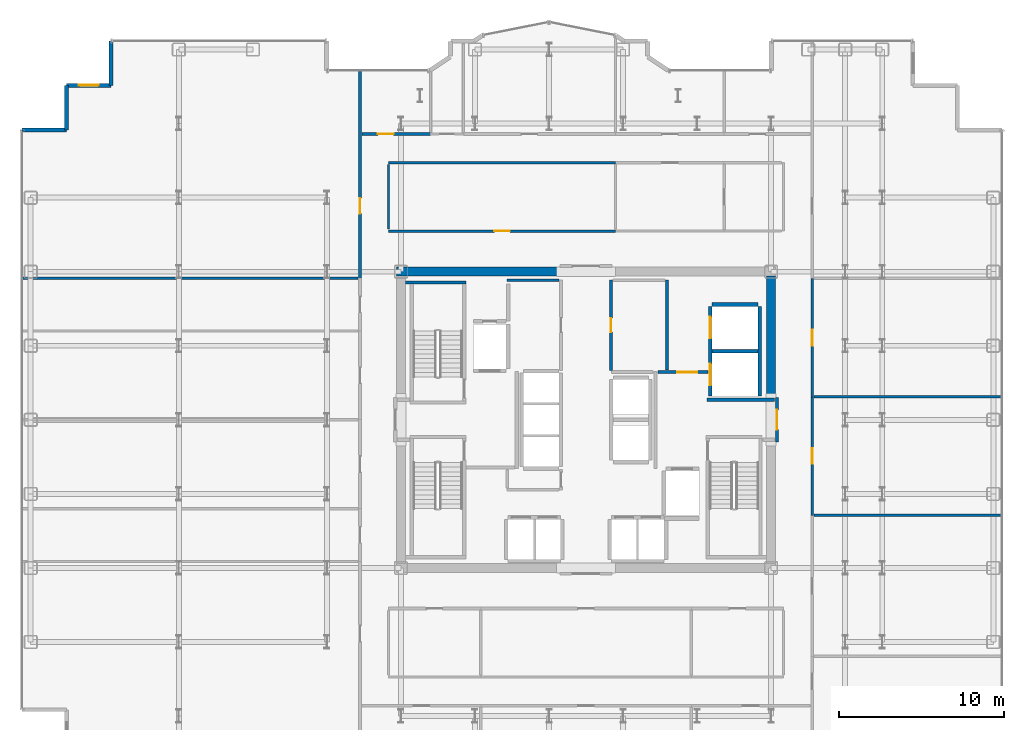
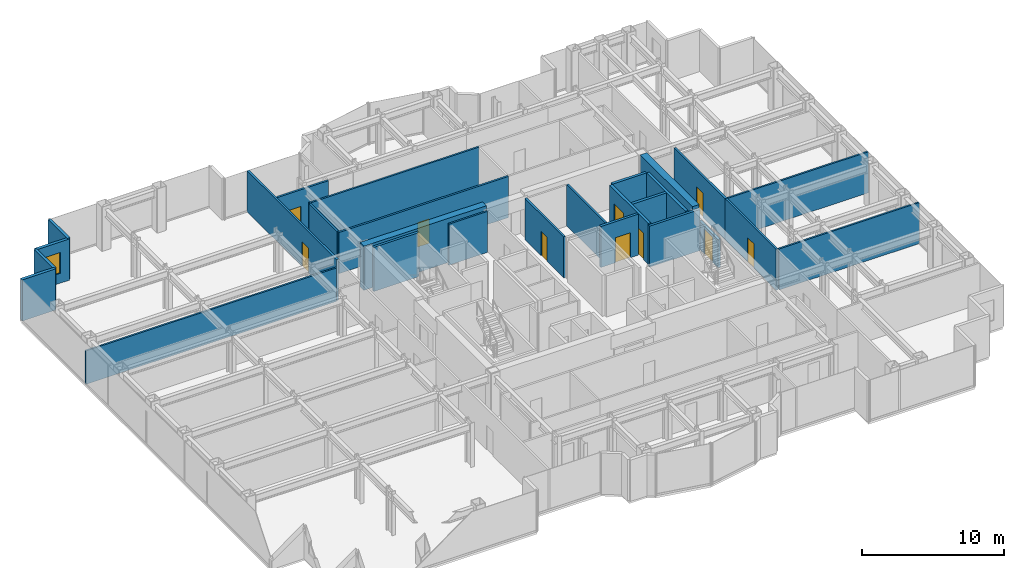
# One storey, part 20 of 23: 27 walls, 10 doors, 1 window, 11 openings.
"""IFC4 building model written with IfcOpenShell, lengths in metres."""

from ifc_helpers import new_model, si_unit, direction, frame, frame_2d, origin, place, context, subcontext, project, spatial, rectangle, extrude, source, transform, mapped, material, layer, layer_set, type_object, element, fill, save


model = new_model("IFC4")

# Units and contexts
model_context = context("Model", 3, precision=1e-05, world=origin(), true_north=direction((0.0, 1.0)))
body_context = subcontext(model_context, "Body", "Model", "MODEL_VIEW")
ifc_project = project(units=[si_unit("LENGTHUNIT", "METRE"), si_unit("AREAUNIT", "SQUARE_METRE"), si_unit("VOLUMEUNIT", "CUBIC_METRE"), si_unit("PLANEANGLEUNIT", "RADIAN"), si_unit("MASSUNIT", "GRAM", prefix="KILO")], contexts=[model_context])

# Site, building, storey
site_placement = place(None, origin())
site = spatial("IfcSite", under=ifc_project, at=site_placement, CompositionType="ELEMENT")
building_placement = place(site_placement, origin())
building = spatial("IfcBuilding", under=site, at=building_placement, Name="Nefas-Gora Pilgrimage Tower", CompositionType="ELEMENT")
storey_placement = place(building_placement, frame((0.0, 0.0, 190.60009765625)))
storey = spatial("IfcBuildingStorey", under=building, at=storey_placement, Name="L47", CompositionType="ELEMENT", Elevation=190.60009765625)

# Walls
ifc_material_1 = material(Name="Concrete C60/75", Category="concrete")
ifc_layer_1 = layer(ifc_material_1, 0.550048828125)
ifc_layer_set_1 = layer_set([ifc_layer_1], Name="Concrete C60/75")
wall_type_1 = type_object("IfcWallType", Name="SW-CORE-550", PredefinedType="SHEAR", material=ifc_layer_set_1)
shared_shape_1 = source(origin(), body_context, "Body", "SweptSolid", [
    extrude(rectangle(XDim=9.974853515625, YDim=0.550048828125, at=frame_2d((4.9873046875, 0.0))), origin(), (0.0, 0.0, 1.0), 3.7998046875),
])
wall_1_placement = place(storey_placement, frame((-11.52490234375, 9.0, 0.0), z_axis=(0.0, 0.0, 1.0), x_axis=(1.0, 0.0, 0.0)))
element("IfcWall", 1, at=wall_1_placement, inside=storey, type_object=wall_type_1, Name="L47 Core Shear Wall N-West", PredefinedType="SHEAR", context=body_context, shape_type="MappedRepresentation", body=[
    mapped(shared_shape_1, transform((0.0, 0.0, 0.0), x_axis=(1.0, 0.0, 0.0), y_axis=(0.0, 1.0, 0.0), z_axis=(0.0, 0.0, 1.0), scale=1.0)),
])
shared_shape_2 = source(origin(), body_context, "Body", "SweptSolid", [
    extrude(rectangle(XDim=7.375, YDim=0.550048828125, at=frame_2d((3.6875, 0.0))), origin(), (0.0, 0.0, 1.0), 3.7998046875),
])
wall_2_placement = place(storey_placement, frame((11.25, 1.35009765625, 0.0), z_axis=(0.0, 0.0, 1.0), x_axis=(0.0, 1.0, 0.0)))
element("IfcWall", 2, at=wall_2_placement, inside=storey, type_object=wall_type_1, Name="L47 Core Shear Wall E-North", PredefinedType="SHEAR", context=body_context, shape_type="MappedRepresentation", body=[
    mapped(shared_shape_2, transform((0.0, 0.0, 0.0), x_axis=(1.0, 0.0, 0.0), y_axis=(0.0, 1.0, 0.0), z_axis=(0.0, 0.0, 1.0), scale=1.0)),
])
ifc_material_2 = material(Name="Precast concrete C45/55", Category="concrete")
ifc_layer_2 = layer(ifc_material_2, 0.239990234375)
ifc_layer_set_2 = layer_set([ifc_layer_2], Name="Precast concrete C45/55")
wall_type_2 = type_object("IfcWallType", Name="EW-SERR-240", PredefinedType="SHEAR", material=ifc_layer_set_2)
shared_shape_3 = source(origin(), body_context, "Body", "SweptSolid", [
    extrude(rectangle(XDim=2.699951171875, YDim=0.239990234375, at=frame_2d((1.35009765625, 0.0))), origin(), (0.0, 0.0, 1.0), 3.5498046875),
])
wall_3_placement = place(storey_placement, frame((-28.8701171875, 23.02001953125, 0.0), z_axis=(0.0, 0.0, 1.0), x_axis=(0.0, -1.0, 0.0)))
element("IfcWall", 3, at=wall_3_placement, inside=storey, type_object=wall_type_2, Name="L47 Serrated Corner Shear Pier Wall 20", PredefinedType="SHEAR", context=body_context, shape_type="MappedRepresentation", body=[
    mapped(shared_shape_3, transform((0.0, 0.0, 0.0), x_axis=(1.0, 0.0, 0.0), y_axis=(0.0, 1.0, 0.0), z_axis=(0.0, 0.0, 1.0), scale=1.0)),
])

# Wall, opening, window
wall_4_placement = place(storey_placement, frame((-28.8701171875, 20.320068359375, 0.0), z_axis=(0.0, 0.0, 1.0), x_axis=(-1.0, 0.0, 0.0)))
wall_4 = element("IfcWall", 4, at=wall_4_placement, inside=storey, type_object=wall_type_2, Name="L47 Serrated Corner Shear Pier Wall 21", PredefinedType="SHEAR", context=body_context, shape_type="MappedRepresentation", body=[
    mapped(shared_shape_3, transform((0.0, 0.0, 0.0), x_axis=(1.0, 0.0, 0.0), y_axis=(0.0, 1.0, 0.0), z_axis=(0.0, 0.0, 1.0), scale=1.0)),
])
opening_1_placement = place(wall_4_placement, frame((0.75, 0.0, 0.85009765625)))
opening_1 = element("IfcOpeningElement", 5, at=opening_1_placement, cuts=wall_4, Name="Opening W-V1", PredefinedType="OPENING", context=body_context, shape_type="SweptSolid", body=[
    extrude(rectangle(XDim=1.199951171875, YDim=1.800048828125, at=frame_2d((0.60009765625, 0.89990234375))), frame((0.0, 0.1298828125, 0.0), z_axis=(0.0, -1.0, 0.0), x_axis=(1.0, 0.0, 0.0)), (0.0, 0.0, 1.0), 0.260009765625),
])
ifc_material_3 = material(Name="Dark ceramic-fritted operable aluminium-glass window", Category="aluminium")
window_type = type_object("IfcWindowType", Name="WIN-VENT-1200x1800", PartitioningType="SINGLE_PANEL", PredefinedType="WINDOW", material=ifc_material_3)
shared_shape_4 = source(origin(), body_context, "Body", "SweptSolid", [
    extrude(rectangle(XDim=1.199951171875, YDim=1.800048828125, at=frame_2d((0.60009765625, 0.89990234375))), frame((0.0, 0.030029296875, 0.0), z_axis=(0.0, -1.0, 0.0), x_axis=(1.0, 0.0, 0.0)), (0.0, 0.0, 1.0), 0.06005859375),
])
window_placement = place(opening_1_placement, origin())
window = element("IfcWindow", 6, at=window_placement, inside=storey, type_object=window_type, Name="L47 Operable Parallel-Outswing Window 21", OverallHeight=1.800048828125, OverallWidth=1.199951171875, PartitioningType="SINGLE_PANEL", PredefinedType="WINDOW", context=body_context, shape_type="MappedRepresentation", body=[
    mapped(shared_shape_4, transform((0.0, 0.0, 0.0), x_axis=(1.0, 0.0, 0.0), y_axis=(0.0, 1.0, 0.0), z_axis=(0.0, 0.0, 1.0), scale=1.0)),
])
fill(opening_1, window)

# Walls
for number, where, z_axis, x_axis, name in (
    (7, (-31.570068359375, 20.320068359375, 0.0), (0.0, 0.0, 1.0), (0.0, -1.0, 0.0), "L47 Serrated Corner Shear Pier Wall 22"),
    (8, (-31.570068359375, 17.6201171875, 0.0), (0.0, 0.0, 1.0), (-1.0, 0.0, 0.0), "L47 Serrated Corner Shear Pier Wall 23"),
):
    element("IfcWall", number, at=place(storey_placement, frame(where, z_axis=z_axis, x_axis=x_axis)), inside=storey, type_object=wall_type_2, Name=name, PredefinedType="SHEAR", context=body_context, shape_type="MappedRepresentation", body=[
        mapped(shared_shape_3, transform((0.0, 0.0, 0.0), x_axis=(1.0, 0.0, 0.0), y_axis=(0.0, 1.0, 0.0), z_axis=(0.0, 0.0, 1.0), scale=1.0)),
    ])
ifc_material_4 = material(Name="Concrete C45/55", Category="concrete")
ifc_layer_3 = layer(ifc_material_4, 0.199951171875)
ifc_layer_set_3 = layer_set([ifc_layer_3], Name="Concrete C45/55")
wall_type_3 = type_object("IfcWallType", Name="IW-STAIR-200", PredefinedType="SOLIDWALL", material=ifc_layer_set_3)
shared_shape_5 = source(origin(), body_context, "Body", "SweptSolid", [
    extrude(rectangle(XDim=3.679931640625, YDim=0.199951171875, at=frame_2d((1.83984375, 0.0))), origin(), (0.0, 0.0, 1.0), 3.7998046875),
])
wall_5_placement = place(storey_placement, frame((-7.300048828125, 8.35009765625, 0.0), z_axis=(0.0, 0.0, 1.0), x_axis=(-1.0, 0.0, 0.0)))
element("IfcWall", 9, at=wall_5_placement, inside=storey, type_object=wall_type_3, Name="L47 Stairwell Shear Wall ST-01-far", PredefinedType="SOLIDWALL", context=body_context, shape_type="MappedRepresentation", body=[
    mapped(shared_shape_5, transform((0.0, 0.0, 0.0), x_axis=(1.0, 0.0, 0.0), y_axis=(0.0, 1.0, 0.0), z_axis=(0.0, 0.0, 1.0), scale=1.0)),
])

# Wall, openings, doors
ifc_material_5 = material(Name="Concrete C40/50", Category="concrete")
ifc_layer_4 = layer(ifc_material_5, 0.219970703125)
ifc_layer_set_4 = layer_set([ifc_layer_4], Name="Concrete C40/50")
wall_type_4 = type_object("IfcWallType", Name="IW-SHAFT-220", PredefinedType="SOLIDWALL", material=ifc_layer_set_4)
shared_shape_6 = source(origin(), body_context, "Body", "SweptSolid", [
    extrude(rectangle(XDim=5.449951171875, YDim=0.219970703125, at=frame_2d((2.72509765625, 0.0))), origin(), (0.0, 0.0, 1.0), 3.534912109375),
])
wall_6_placement = place(storey_placement, frame((7.5400390625, 6.89990234375, 0.0), z_axis=(0.0, 0.0, 1.0), x_axis=(0.0, -1.0, 0.0)))
wall_6 = element("IfcWall", 10, at=wall_6_placement, inside=storey, type_object=wall_type_4, Name="L47 Hoistway Wall SL-01-02-W", PredefinedType="SOLIDWALL", context=body_context, shape_type="MappedRepresentation", body=[
    mapped(shared_shape_6, transform((0.0, 0.0, 0.0), x_axis=(1.0, 0.0, 0.0), y_axis=(0.0, 1.0, 0.0), z_axis=(0.0, 0.0, 1.0), scale=1.0)),
])
opening_2_placement = place(wall_6_placement, frame((3.5, 0.0, 0.0)))
opening_2 = element("IfcOpeningElement", 11, at=opening_2_placement, cuts=wall_6, Name="Opening LD-SV", PredefinedType="OPENING", context=body_context, shape_type="SweptSolid", body=[
    extrude(rectangle(XDim=1.300048828125, YDim=2.300048828125, at=frame_2d((0.64990234375, 1.14990234375))), frame((0.0, 0.119873046875, 0.0), z_axis=(0.0, -1.0, 0.0), x_axis=(1.0, 0.0, 0.0)), (0.0, 0.0, 1.0), 0.239990234375),
])
opening_3_placement = place(wall_6_placement, frame((0.64990234375, 0.0, 0.0)))
opening_3 = element("IfcOpeningElement", 12, at=opening_3_placement, cuts=wall_6, Name="Opening LD-SV", PredefinedType="OPENING", context=body_context, shape_type="SweptSolid", body=[
    extrude(rectangle(XDim=1.300048828125, YDim=2.300048828125, at=frame_2d((0.64990234375, 1.14990234375))), frame((0.0, 0.119873046875, 0.0), z_axis=(0.0, -1.0, 0.0), x_axis=(1.0, 0.0, 0.0)), (0.0, 0.0, 1.0), 0.239990234375),
])
ifc_material_6 = material(Name="Heavy goods sliding lift landing door")
door_type_1 = type_object("IfcDoorType", Name="DR-LIFT-SERV-1300", OperationType="SLIDING_TO_RIGHT", PredefinedType="DOOR", material=ifc_material_6)
shared_shape_7 = source(origin(), body_context, "Body", "SweptSolid", [
    extrude(rectangle(XDim=1.300048828125, YDim=2.300048828125, at=frame_2d((0.64990234375, 1.14990234375))), frame((0.0, 0.02490234375, 0.0), z_axis=(0.0, -1.0, 0.0), x_axis=(1.0, 0.0, 0.0)), (0.0, 0.0, 1.0), 0.050048828125),
])
door_1_placement = place(opening_2_placement, origin())
door_1 = element("IfcDoor", 13, at=door_1_placement, inside=storey, type_object=door_type_1, Name="L47 Sliding Lift Landing Door SL-01", OperationType="SLIDING_TO_RIGHT", OverallHeight=2.300048828125, OverallWidth=1.300048828125, PredefinedType="DOOR", context=body_context, shape_type="MappedRepresentation", body=[
    mapped(shared_shape_7, transform((0.0, 0.0, 0.0), x_axis=(1.0, 0.0, 0.0), y_axis=(0.0, 1.0, 0.0), z_axis=(0.0, 0.0, 1.0), scale=1.0)),
])
fill(opening_2, door_1)
door_2_placement = place(opening_3_placement, origin())
door_2 = element("IfcDoor", 14, at=door_2_placement, inside=storey, type_object=door_type_1, Name="L47 Sliding Lift Landing Door SL-02", OperationType="SLIDING_TO_RIGHT", OverallHeight=2.300048828125, OverallWidth=1.300048828125, PredefinedType="DOOR", context=body_context, shape_type="MappedRepresentation", body=[
    mapped(shared_shape_7, transform((0.0, 0.0, 0.0), x_axis=(1.0, 0.0, 0.0), y_axis=(0.0, 1.0, 0.0), z_axis=(0.0, 0.0, 1.0), scale=1.0)),
])
fill(opening_3, door_2)

# Walls
wall_7_placement = place(storey_placement, frame((10.56005859375, 1.449951171875, 0.0), z_axis=(0.0, 0.0, 1.0), x_axis=(0.0, 1.0, 0.0)))
element("IfcWall", 15, at=wall_7_placement, inside=storey, type_object=wall_type_4, Name="L47 Hoistway Wall SL-01-02-E", PredefinedType="SOLIDWALL", context=body_context, shape_type="MappedRepresentation", body=[
    mapped(shared_shape_6, transform((0.0, 0.0, 0.0), x_axis=(1.0, 0.0, 0.0), y_axis=(0.0, 1.0, 0.0), z_axis=(0.0, 0.0, 1.0), scale=1.0)),
])
shared_shape_8 = source(origin(), body_context, "Body", "SweptSolid", [
    extrude(rectangle(XDim=2.780029296875, YDim=0.219970703125, at=frame_2d((1.39013671875, 0.0))), origin(), (0.0, 0.0, 1.0), 3.534912109375),
])
for number, where, z_axis, x_axis, name in (
    (16, (7.659912109375, 4.175048828125, 0.0), (0.0, 0.0, 1.0), (1.0, 0.0, 0.0), "L47 Hoistway Wall SL-01-02-DIV"),
    (17, (10.43994140625, 7.010009765625, 0.0), (0.0, 0.0, 1.0), (-1.0, 0.0, 0.0), "L47 Hoistway Wall SL-02-N"),
):
    element("IfcWall", number, at=place(storey_placement, frame(where, z_axis=z_axis, x_axis=x_axis)), inside=storey, type_object=wall_type_4, Name=name, PredefinedType="SOLIDWALL", context=body_context, shape_type="MappedRepresentation", body=[
        mapped(shared_shape_8, transform((0.0, 0.0, 0.0), x_axis=(1.0, 0.0, 0.0), y_axis=(0.0, 1.0, 0.0), z_axis=(0.0, 0.0, 1.0), scale=1.0)),
    ])

# Wall, opening, door
ifc_material_7 = material(Name="Gypsum fire-rated shaftwall")
ifc_layer_5 = layer(ifc_material_7, 0.199951171875)
ifc_layer_set_5 = layer_set([ifc_layer_5], Name="Gypsum fire-rated shaftwall")
wall_type_5 = type_object("IfcWallType", Name="IW-FFLOB-200", PredefinedType="PARTITIONING", material=ifc_layer_set_5)
shared_shape_9 = source(origin(), body_context, "Body", "SweptSolid", [
    extrude(rectangle(XDim=3.039794921875, YDim=0.199951171875, at=frame_2d((1.52001953125, 0.0))), origin(), (0.0, 0.0, 1.0), 3.534912109375),
])
wall_8_placement = place(storey_placement, frame((4.360107421875, 2.89990234375, 0.0), z_axis=(0.0, 0.0, 1.0), x_axis=(1.0, 0.0, 0.0)))
wall_8 = element("IfcWall", 18, at=wall_8_placement, inside=storey, type_object=wall_type_5, Name="L47 FF Lobby East North Wall Wall 12", PredefinedType="PARTITIONING", context=body_context, shape_type="MappedRepresentation", body=[
    mapped(shared_shape_9, transform((0.0, 0.0, 0.0), x_axis=(1.0, 0.0, 0.0), y_axis=(0.0, 1.0, 0.0), z_axis=(0.0, 0.0, 1.0), scale=1.0)),
])
opening_4_placement = place(wall_8_placement, frame((1.18994140625, 0.0, 0.0)))
opening_4 = element("IfcOpeningElement", 19, at=opening_4_placement, cuts=wall_8, Name="Opening ID-PL1", PredefinedType="OPENING", context=body_context, shape_type="SweptSolid", body=[
    extrude(rectangle(XDim=1.199951171875, YDim=2.14990234375, at=frame_2d((0.60009765625, 1.074951171875))), frame((0.0, 0.10986328125, 0.0), z_axis=(0.0, -1.0, 0.0), x_axis=(1.0, 0.0, 0.0)), (0.0, 0.0, 1.0), 0.219970703125),
])
ifc_material_8 = material(Name="Heavy-duty steel plant room fire door", Category="steel")
door_type_2 = type_object("IfcDoorType", Name="DR-INT-PLANT-1200", OperationType="NOTDEFINED", PredefinedType="DOOR", material=ifc_material_8)
shared_shape_10 = source(origin(), body_context, "Body", "SweptSolid", [
    extrude(rectangle(XDim=1.199951171875, YDim=2.14990234375, at=frame_2d((0.60009765625, 1.074951171875))), frame((0.0, 0.02490234375, 0.0), z_axis=(0.0, -1.0, 0.0), x_axis=(1.0, 0.0, 0.0)), (0.0, 0.0, 1.0), 0.050048828125),
])
door_3_placement = place(opening_4_placement, origin())
door_3 = element("IfcDoor", 20, at=door_3_placement, inside=storey, type_object=door_type_2, Name="L47 Service Lift Lobby Door Door 4", OperationType="SINGLE_SWING_LEFT", OverallHeight=2.14990234375, OverallWidth=1.199951171875, PredefinedType="DOOR", context=body_context, shape_type="MappedRepresentation", body=[
    mapped(shared_shape_10, transform((0.0, 0.0, 0.0), x_axis=(1.0, 0.0, 0.0), y_axis=(0.0, 1.0, 0.0), z_axis=(0.0, 0.0, 1.0), scale=1.0)),
])
fill(opening_4, door_3)

# Wall
shared_shape_11 = source(origin(), body_context, "Body", "SweptSolid", [
    extrude(rectangle(XDim=4.10986328125, YDim=0.199951171875, at=frame_2d((2.054931640625, 0.0))), origin(), (0.0, 0.0, 1.0), 3.534912109375),
])
wall_9_placement = place(storey_placement, frame((7.35009765625, 1.219970703125, 0.0), z_axis=(0.0, 0.0, 1.0), x_axis=(1.0, 0.0, 0.0)))
element("IfcWall", 21, at=wall_9_placement, inside=storey, type_object=wall_type_5, Name="L47 FF Lobby East Throat N Wall 13", PredefinedType="PARTITIONING", context=body_context, shape_type="MappedRepresentation", body=[
    mapped(shared_shape_11, transform((0.0, 0.0, 0.0), x_axis=(1.0, 0.0, 0.0), y_axis=(0.0, 1.0, 0.0), z_axis=(0.0, 0.0, 1.0), scale=1.0)),
])

# Wall, opening, door
shared_shape_12 = source(origin(), body_context, "Body", "SweptSolid", [
    extrude(rectangle(XDim=2.7001953125, YDim=0.199951171875, at=frame_2d((1.35009765625, 0.0))), origin(), (0.0, 0.0, 1.0), 2.4248046875),
])
wall_10_placement = place(storey_placement, frame((11.60009765625, -1.35009765625, 0.0), z_axis=(0.0, 0.0, 1.0), x_axis=(0.0, 1.0, 0.0)))
wall_10 = element("IfcWall", 22, at=wall_10_placement, inside=storey, type_object=wall_type_5, Name="L47 FF Lobby East Portal Wall 9", PredefinedType="PARTITIONING", context=body_context, shape_type="MappedRepresentation", body=[
    mapped(shared_shape_12, transform((0.0, 0.0, 0.0), x_axis=(1.0, 0.0, 0.0), y_axis=(0.0, 1.0, 0.0), z_axis=(0.0, 0.0, 1.0), scale=1.0)),
])
opening_5_placement = place(wall_10_placement, frame((0.75, 0.0, 0.0)))
opening_5 = element("IfcOpeningElement", 23, at=opening_5_placement, cuts=wall_10, Name="Opening ID-FF1", PredefinedType="OPENING", context=body_context, shape_type="SweptSolid", body=[
    extrude(rectangle(XDim=1.199951171875, YDim=2.14990234375, at=frame_2d((0.60009765625, 1.074951171875))), frame((0.0, 0.10986328125, 0.0), z_axis=(0.0, -1.0, 0.0), x_axis=(1.0, 0.0, 0.0)), (0.0, 0.0, 1.0), 0.219970703125),
])
ifc_material_9 = material(Name="Smoke-sealed steel firefighting lobby door", Category="steel")
door_type_3 = type_object("IfcDoorType", Name="DR-INT-FFLOB-1200", OperationType="NOTDEFINED", PredefinedType="DOOR", material=ifc_material_9)
door_4_placement = place(opening_5_placement, origin())
door_4 = element("IfcDoor", 24, at=door_4_placement, inside=storey, type_object=door_type_3, Name="L47 FF Lobby East Portal Door 3", OperationType="SINGLE_SWING_RIGHT", OverallHeight=2.14990234375, OverallWidth=1.199951171875, PredefinedType="DOOR", context=body_context, shape_type="MappedRepresentation", body=[
    mapped(shared_shape_10, transform((0.0, 0.0, 0.0), x_axis=(1.0, 0.0, 0.0), y_axis=(0.0, 1.0, 0.0), z_axis=(0.0, 0.0, 1.0), scale=1.0)),
])
fill(opening_5, door_4)

# Wall
ifc_material_10 = material(Name="Gypsum twin-stud partition")
ifc_layer_6 = layer(ifc_material_10, 0.139892578125)
ifc_layer_set_6 = layer_set([ifc_layer_6], Name="Gypsum twin-stud partition")
wall_type_6 = type_object("IfcWallType", Name="IW-UNIT-140", PredefinedType="PARTITIONING", material=ifc_layer_set_6)
shared_shape_13 = source(origin(), body_context, "Body", "SweptSolid", [
    extrude(rectangle(XDim=3.150146484375, YDim=0.139892578125, at=frame_2d((1.5751953125, 0.0))), origin(), (0.0, 0.0, 1.0), 3.534912109375),
])
wall_11_placement = place(storey_placement, frame((-4.7900390625, 8.47998046875, 0.0), z_axis=(0.0, 0.0, 1.0), x_axis=(1.0, 0.0, 0.0)))
element("IfcWall", 25, at=wall_11_placement, inside=storey, type_object=wall_type_6, Name="L47 Housekeeping and Linen Store Partition Wall 19", PredefinedType="PARTITIONING", context=body_context, shape_type="MappedRepresentation", body=[
    mapped(shared_shape_13, transform((0.0, 0.0, 0.0), x_axis=(1.0, 0.0, 0.0), y_axis=(0.0, 1.0, 0.0), z_axis=(0.0, 0.0, 1.0), scale=1.0)),
])

# Wall, opening, door
ifc_material_11 = material(Name="Gypsum acoustic stud partition")
ifc_layer_7 = layer(ifc_material_11, 0.159912109375)
ifc_layer_set_7 = layer_set([ifc_layer_7], Name="Gypsum acoustic stud partition")
wall_type_7 = type_object("IfcWallType", Name="IW-CORR-160", PredefinedType="PARTITIONING", material=ifc_layer_set_7)
shared_shape_14 = source(origin(), body_context, "Body", "SweptSolid", [
    extrude(rectangle(XDim=12.64501953125, YDim=0.159912109375, at=frame_2d((6.322509765625, 0.0))), origin(), (0.0, 0.0, 1.0), 3.534912109375),
])
wall_12_placement = place(storey_placement, frame((-13.739990234375, 8.594970703125, 0.0), z_axis=(0.0, 0.0, 1.0), x_axis=(0.0, 1.0, 0.0)))
wall_12 = element("IfcWall", 26, at=wall_12_placement, inside=storey, type_object=wall_type_7, Name="L47 Pilgrim Contemplative Lounge Partition Wall 38", PredefinedType="PARTITIONING", context=body_context, shape_type="MappedRepresentation", body=[
    mapped(shared_shape_14, transform((0.0, 0.0, 0.0), x_axis=(1.0, 0.0, 0.0), y_axis=(0.0, 1.0, 0.0), z_axis=(0.0, 0.0, 1.0), scale=1.0)),
])
opening_6_placement = place(wall_12_placement, frame((3.9326171875, 0.0, 0.0)))
opening_6 = element("IfcOpeningElement", 27, at=opening_6_placement, cuts=wall_12, Name="Opening ID-GR1", PredefinedType="OPENING", context=body_context, shape_type="SweptSolid", body=[
    extrude(rectangle(XDim=0.949951171875, YDim=2.10009765625, at=frame_2d((0.47509765625, 1.050048828125))), frame((0.0, 0.08984375, 0.0), z_axis=(0.0, -1.0, 0.0), x_axis=(1.0, 0.0, 0.0)), (0.0, 0.0, 1.0), 0.179931640625),
])
ifc_material_12 = material(Name="Solid core oak fire-rated guest entrance door")
door_type_4 = type_object("IfcDoorType", Name="DR-INT-GUEST-950", OperationType="NOTDEFINED", PredefinedType="DOOR", material=ifc_material_12)
shared_shape_15 = source(origin(), body_context, "Body", "SweptSolid", [
    extrude(rectangle(XDim=0.949951171875, YDim=2.10009765625, at=frame_2d((0.47509765625, 1.050048828125))), frame((0.0, 0.02490234375, 0.0), z_axis=(0.0, -1.0, 0.0), x_axis=(1.0, 0.0, 0.0)), (0.0, 0.0, 1.0), 0.050048828125),
])
door_5_placement = place(opening_6_placement, origin())
door_5 = element("IfcDoor", 28, at=door_5_placement, inside=storey, type_object=door_type_4, Name="L47 Pilgrim Contemplative Lounge Door 16", OperationType="SINGLE_SWING_LEFT", OverallHeight=2.10009765625, OverallWidth=0.949951171875, PredefinedType="DOOR", context=body_context, shape_type="MappedRepresentation", body=[
    mapped(shared_shape_15, transform((0.0, 0.0, 0.0), x_axis=(1.0, 0.0, 0.0), y_axis=(0.0, 1.0, 0.0), z_axis=(0.0, 0.0, 1.0), scale=1.0)),
])
fill(opening_6, door_5)

# Walls
shared_shape_16 = source(origin(), body_context, "Body", "SweptSolid", [
    extrude(rectangle(XDim=20.429931640625, YDim=0.139892578125, at=frame_2d((10.21484375, 0.0))), origin(), (0.0, 0.0, 1.0), 2.875),
])
wall_13_placement = place(storey_placement, frame((-34.2900390625, 8.594970703125, 0.0), z_axis=(0.0, 0.0, 1.0), x_axis=(1.0, 0.0, 0.0)))
element("IfcWall", 29, at=wall_13_placement, inside=storey, type_object=wall_type_6, Name="L47 Pilgrim Fellowship Seminar Room Partition Wall 37", PredefinedType="PARTITIONING", context=body_context, shape_type="MappedRepresentation", body=[
    mapped(shared_shape_16, transform((0.0, 0.0, 0.0), x_axis=(1.0, 0.0, 0.0), y_axis=(0.0, 1.0, 0.0), z_axis=(0.0, 0.0, 1.0), scale=1.0)),
])
shared_shape_17 = source(origin(), body_context, "Body", "SweptSolid", [
    extrude(rectangle(XDim=11.429931640625, YDim=0.139892578125, at=frame_2d((5.71484375, 0.0))), origin(), (0.0, 0.0, 1.0), 3.534912109375),
])
for number, where, z_axis, x_axis, name in (
    (30, (13.860107421875, -5.804931640625, 0.0), (0.0, 0.0, 1.0), (1.0, 0.0, 0.0), "L47 Pilgrim Contemplative Lounge Partition Wall 41"),
    (31, (13.860107421875, 1.4013671875, 0.0), (0.0, 0.0, 1.0), (1.0, 0.0, 0.0), "L47 Pilgrim Contemplative Lounge Partition Wall 46"),
):
    element("IfcWall", number, at=place(storey_placement, frame(where, z_axis=z_axis, x_axis=x_axis)), inside=storey, type_object=wall_type_6, Name=name, PredefinedType="PARTITIONING", context=body_context, shape_type="MappedRepresentation", body=[
        mapped(shared_shape_17, transform((0.0, 0.0, 0.0), x_axis=(1.0, 0.0, 0.0), y_axis=(0.0, 1.0, 0.0), z_axis=(0.0, 0.0, 1.0), scale=1.0)),
    ])
shared_shape_18 = source(origin(), body_context, "Body", "SweptSolid", [
    extrude(rectangle(XDim=3.929931640625, YDim=0.139892578125, at=frame_2d((1.96484375, 0.0))), origin(), (0.0, 0.0, 1.0), 3.534912109375),
])
wall_14_placement = place(storey_placement, frame((-12.0, 11.590087890625, 0.0), z_axis=(0.0, 0.0, 1.0), x_axis=(0.0, 1.0, 0.0)))
element("IfcWall", 32, at=wall_14_placement, inside=storey, type_object=wall_type_6, Name="L47 Pilgrim Contemplative Lounge Partition Wall 50", PredefinedType="PARTITIONING", context=body_context, shape_type="MappedRepresentation", body=[
    mapped(shared_shape_18, transform((0.0, 0.0, 0.0), x_axis=(1.0, 0.0, 0.0), y_axis=(0.0, 1.0, 0.0), z_axis=(0.0, 0.0, 1.0), scale=1.0)),
])

# Wall, opening, door
shared_shape_19 = source(origin(), body_context, "Body", "SweptSolid", [
    extrude(rectangle(XDim=4.16015625, YDim=0.159912109375, at=frame_2d((2.080078125, 0.0))), origin(), (0.0, 0.0, 1.0), 3.534912109375),
])
wall_15_placement = place(storey_placement, frame((-13.6201171875, 17.3701171875, 0.0), z_axis=(0.0, 0.0, 1.0), x_axis=(1.0, 0.0, 0.0)))
wall_15 = element("IfcWall", 33, at=wall_15_placement, inside=storey, type_object=wall_type_7, Name="L47 Pilgrim Contemplative Lounge Partition Wall 54", PredefinedType="PARTITIONING", context=body_context, shape_type="MappedRepresentation", body=[
    mapped(shared_shape_19, transform((0.0, 0.0, 0.0), x_axis=(1.0, 0.0, 0.0), y_axis=(0.0, 1.0, 0.0), z_axis=(0.0, 0.0, 1.0), scale=1.0)),
])
opening_7_placement = place(wall_15_placement, frame((0.968994140625, 0.0, 0.0)))
opening_7 = element("IfcOpeningElement", 34, at=opening_7_placement, cuts=wall_15, Name="Opening ID-GR1", PredefinedType="OPENING", context=body_context, shape_type="SweptSolid", body=[
    extrude(rectangle(XDim=0.949951171875, YDim=2.10009765625, at=frame_2d((0.47509765625, 1.050048828125))), frame((0.0, 0.08984375, 0.0), z_axis=(0.0, -1.0, 0.0), x_axis=(1.0, 0.0, 0.0)), (0.0, 0.0, 1.0), 0.179931640625),
])
door_6_placement = place(opening_7_placement, origin())
door_6 = element("IfcDoor", 35, at=door_6_placement, inside=storey, type_object=door_type_4, Name="L47 Pilgrim Contemplative Lounge Door 24", OperationType="SINGLE_SWING_LEFT", OverallHeight=2.10009765625, OverallWidth=0.949951171875, PredefinedType="DOOR", context=body_context, shape_type="MappedRepresentation", body=[
    mapped(shared_shape_15, transform((0.0, 0.0, 0.0), x_axis=(1.0, 0.0, 0.0), y_axis=(0.0, 1.0, 0.0), z_axis=(0.0, 0.0, 1.0), scale=1.0)),
])
fill(opening_7, door_6)

# Wall
shared_shape_20 = source(origin(), body_context, "Body", "SweptSolid", [
    extrude(rectangle(XDim=5.449951171875, YDim=0.159912109375, at=frame_2d((2.72509765625, 0.0))), origin(), (0.0, 0.0, 1.0), 3.534912109375),
])
wall_16_placement = place(storey_placement, frame((4.919921875, 3.0400390625, 0.0), z_axis=(0.0, 0.0, 1.0), x_axis=(0.0, 1.0, 0.0)))
element("IfcWall", 36, at=wall_16_placement, inside=storey, type_object=wall_type_7, Name="L47 Service Lift Lobby West Wall Wall 17", PredefinedType="PARTITIONING", context=body_context, shape_type="MappedRepresentation", body=[
    mapped(shared_shape_20, transform((0.0, 0.0, 0.0), x_axis=(1.0, 0.0, 0.0), y_axis=(0.0, 1.0, 0.0), z_axis=(0.0, 0.0, 1.0), scale=1.0)),
])

# Wall, opening, door
shared_shape_21 = source(origin(), body_context, "Body", "SweptSolid", [
    extrude(rectangle(XDim=5.47998046875, YDim=0.159912109375, at=frame_2d((2.739990234375, 0.0))), origin(), (0.0, 0.0, 1.0), 3.534912109375),
])
wall_17_placement = place(storey_placement, frame((1.52001953125, 3.010009765625, 0.0), z_axis=(0.0, 0.0, 1.0), x_axis=(0.0, 1.0, 0.0)))
wall_17 = element("IfcWall", 37, at=wall_17_placement, inside=storey, type_object=wall_type_7, Name="L47 Freed Bank-1 Amenity Supply Store Wall 23", PredefinedType="PARTITIONING", context=body_context, shape_type="MappedRepresentation", body=[
    mapped(shared_shape_21, transform((0.0, 0.0, 0.0), x_axis=(1.0, 0.0, 0.0), y_axis=(0.0, 1.0, 0.0), z_axis=(0.0, 0.0, 1.0), scale=1.0)),
])
opening_8_placement = place(wall_17_placement, frame((2.31494140625, 0.0, 0.0)))
opening_8 = element("IfcOpeningElement", 38, at=opening_8_placement, cuts=wall_17, Name="Opening ID-BT1", PredefinedType="OPENING", context=body_context, shape_type="SweptSolid", body=[
    extrude(rectangle(XDim=0.85009765625, YDim=2.10009765625, at=frame_2d((0.425048828125, 1.050048828125))), frame((0.0, 0.08984375, 0.0), z_axis=(0.0, -1.0, 0.0), x_axis=(1.0, 0.0, 0.0)), (0.0, 0.0, 1.0), 0.179931640625),
])
ifc_material_13 = material(Name="Moisture-resistant fire-rated timber door", Category="wood")
door_type_5 = type_object("IfcDoorType", Name="DR-INT-BATH-850", OperationType="NOTDEFINED", PredefinedType="DOOR", material=ifc_material_13)
shared_shape_22 = source(origin(), body_context, "Body", "SweptSolid", [
    extrude(rectangle(XDim=0.85009765625, YDim=2.10009765625, at=frame_2d((0.425048828125, 1.050048828125))), frame((0.0, 0.02490234375, 0.0), z_axis=(0.0, -1.0, 0.0), x_axis=(1.0, 0.0, 0.0)), (0.0, 0.0, 1.0), 0.050048828125),
])
door_7_placement = place(opening_8_placement, origin())
door_7 = element("IfcDoor", 39, at=door_7_placement, inside=storey, type_object=door_type_5, Name="L47 Freed Bank-1 Amenity Supply Store Door 9", OperationType="SINGLE_SWING_RIGHT", OverallHeight=2.10009765625, OverallWidth=0.85009765625, PredefinedType="DOOR", context=body_context, shape_type="MappedRepresentation", body=[
    mapped(shared_shape_22, transform((0.0, 0.0, 0.0), x_axis=(1.0, 0.0, 0.0), y_axis=(0.0, 1.0, 0.0), z_axis=(0.0, 0.0, 1.0), scale=1.0)),
])
fill(opening_8, door_7)

shared_shape_23 = source(origin(), body_context, "Body", "SweptSolid", [
    extrude(rectangle(XDim=13.81494140625, YDim=0.159912109375, at=frame_2d((6.907470703125, 0.0))), origin(), (0.0, 0.0, 1.0), 3.534912109375),
])
wall_18_placement = place(storey_placement, frame((-12.010009765625, 11.469970703125, 0.0), z_axis=(0.0, 0.0, 1.0), x_axis=(1.0, 0.0, 0.0)))
wall_18 = element("IfcWall", 40, at=wall_18_placement, inside=storey, type_object=wall_type_7, Name="L47 Pilgrim Contemplative Lounge Partition Wall 48", PredefinedType="PARTITIONING", context=body_context, shape_type="MappedRepresentation", body=[
    mapped(shared_shape_23, transform((0.0, 0.0, 0.0), x_axis=(1.0, 0.0, 0.0), y_axis=(0.0, 1.0, 0.0), z_axis=(0.0, 0.0, 1.0), scale=1.0)),
])
opening_9_placement = place(wall_18_placement, frame((6.4326171875, 0.0, 0.0)))
opening_9 = element("IfcOpeningElement", 41, at=opening_9_placement, cuts=wall_18, Name="Opening ID-GR1", PredefinedType="OPENING", context=body_context, shape_type="SweptSolid", body=[
    extrude(rectangle(XDim=0.949951171875, YDim=2.10009765625, at=frame_2d((0.47509765625, 1.050048828125))), frame((0.0, 0.08984375, 0.0), z_axis=(0.0, -1.0, 0.0), x_axis=(1.0, 0.0, 0.0)), (0.0, 0.0, 1.0), 0.179931640625),
])
door_8_placement = place(opening_9_placement, origin())
door_8 = element("IfcDoor", 42, at=door_8_placement, inside=storey, type_object=door_type_4, Name="L47 Pilgrim Contemplative Lounge Door 22", OperationType="SINGLE_SWING_LEFT", OverallHeight=2.10009765625, OverallWidth=0.949951171875, PredefinedType="DOOR", context=body_context, shape_type="MappedRepresentation", body=[
    mapped(shared_shape_15, transform((0.0, 0.0, 0.0), x_axis=(1.0, 0.0, 0.0), y_axis=(0.0, 1.0, 0.0), z_axis=(0.0, 0.0, 1.0), scale=1.0)),
])
fill(opening_9, door_8)

# Wall
shared_shape_24 = source(origin(), body_context, "Body", "SweptSolid", [
    extrude(rectangle(XDim=13.81494140625, YDim=0.139892578125, at=frame_2d((6.907470703125, 0.0))), origin(), (0.0, 0.0, 1.0), 3.534912109375),
])
wall_19_placement = place(storey_placement, frame((-12.010009765625, 15.6298828125, 0.0), z_axis=(0.0, 0.0, 1.0), x_axis=(1.0, 0.0, 0.0)))
element("IfcWall", 43, at=wall_19_placement, inside=storey, type_object=wall_type_6, Name="L47 Pilgrim Contemplative Lounge Partition Wall 49", PredefinedType="PARTITIONING", context=body_context, shape_type="MappedRepresentation", body=[
    mapped(shared_shape_24, transform((0.0, 0.0, 0.0), x_axis=(1.0, 0.0, 0.0), y_axis=(0.0, 1.0, 0.0), z_axis=(0.0, 0.0, 1.0), scale=1.0)),
])

# Wall, opening, door
shared_shape_25 = source(origin(), body_context, "Body", "SweptSolid", [
    extrude(rectangle(XDim=7.196044921875, YDim=0.159912109375, at=frame_2d((3.59814453125, 0.0))), origin(), (0.0, 0.0, 1.0), 3.534912109375),
])
wall_20_placement = place(storey_placement, frame((13.739990234375, 1.391357421875, 0.0), z_axis=(0.0, 0.0, 1.0), x_axis=(0.0, 1.0, 0.0)))
wall_20 = element("IfcWall", 44, at=wall_20_placement, inside=storey, type_object=wall_type_7, Name="L47 Pilgrim Contemplative Lounge Partition Wall 45", PredefinedType="PARTITIONING", context=body_context, shape_type="MappedRepresentation", body=[
    mapped(shared_shape_25, transform((0.0, 0.0, 0.0), x_axis=(1.0, 0.0, 0.0), y_axis=(0.0, 1.0, 0.0), z_axis=(0.0, 0.0, 1.0), scale=1.0)),
])
opening_10_placement = place(wall_20_placement, frame((3.123046875, 0.0, 0.0)))
opening_10 = element("IfcOpeningElement", 45, at=opening_10_placement, cuts=wall_20, Name="Opening ID-GR1", PredefinedType="OPENING", context=body_context, shape_type="SweptSolid", body=[
    extrude(rectangle(XDim=0.949951171875, YDim=2.10009765625, at=frame_2d((0.47509765625, 1.050048828125))), frame((0.0, 0.08984375, 0.0), z_axis=(0.0, -1.0, 0.0), x_axis=(1.0, 0.0, 0.0)), (0.0, 0.0, 1.0), 0.179931640625),
])
door_9_placement = place(opening_10_placement, origin())
door_9 = element("IfcDoor", 46, at=door_9_placement, inside=storey, type_object=door_type_4, Name="L47 Pilgrim Contemplative Lounge Door 20", OperationType="SINGLE_SWING_LEFT", OverallHeight=2.10009765625, OverallWidth=0.949951171875, PredefinedType="DOOR", context=body_context, shape_type="MappedRepresentation", body=[
    mapped(shared_shape_15, transform((0.0, 0.0, 0.0), x_axis=(1.0, 0.0, 0.0), y_axis=(0.0, 1.0, 0.0), z_axis=(0.0, 0.0, 1.0), scale=1.0)),
])
fill(opening_10, door_9)

shared_shape_26 = source(origin(), body_context, "Body", "SweptSolid", [
    extrude(rectangle(XDim=7.1962890625, YDim=0.159912109375, at=frame_2d((3.59814453125, 0.0))), origin(), (0.0, 0.0, 1.0), 3.534912109375),
])
wall_21_placement = place(storey_placement, frame((13.739990234375, -5.804931640625, 0.0), z_axis=(0.0, 0.0, 1.0), x_axis=(0.0, 1.0, 0.0)))
wall_21 = element("IfcWall", 47, at=wall_21_placement, inside=storey, type_object=wall_type_7, Name="L47 Pilgrim Contemplative Lounge Partition Wall 47", PredefinedType="PARTITIONING", context=body_context, shape_type="MappedRepresentation", body=[
    mapped(shared_shape_26, transform((0.0, 0.0, 0.0), x_axis=(1.0, 0.0, 0.0), y_axis=(0.0, 1.0, 0.0), z_axis=(0.0, 0.0, 1.0), scale=1.0)),
])
opening_11_placement = place(wall_21_placement, frame((3.123046875, 0.0, 0.0)))
opening_11 = element("IfcOpeningElement", 48, at=opening_11_placement, cuts=wall_21, Name="Opening ID-GR1", PredefinedType="OPENING", context=body_context, shape_type="SweptSolid", body=[
    extrude(rectangle(XDim=0.949951171875, YDim=2.10009765625, at=frame_2d((0.47509765625, 1.050048828125))), frame((0.0, 0.08984375, 0.0), z_axis=(0.0, -1.0, 0.0), x_axis=(1.0, 0.0, 0.0)), (0.0, 0.0, 1.0), 0.179931640625),
])
door_10_placement = place(opening_11_placement, origin())
door_10 = element("IfcDoor", 49, at=door_10_placement, inside=storey, type_object=door_type_4, Name="L47 Pilgrim Contemplative Lounge Door 21", OperationType="SINGLE_SWING_RIGHT", OverallHeight=2.10009765625, OverallWidth=0.949951171875, PredefinedType="DOOR", context=body_context, shape_type="MappedRepresentation", body=[
    mapped(shared_shape_15, transform((0.0, 0.0, 0.0), x_axis=(1.0, 0.0, 0.0), y_axis=(0.0, 1.0, 0.0), z_axis=(0.0, 0.0, 1.0), scale=1.0)),
])
fill(opening_11, door_10)

save(model, "model.ifc")
